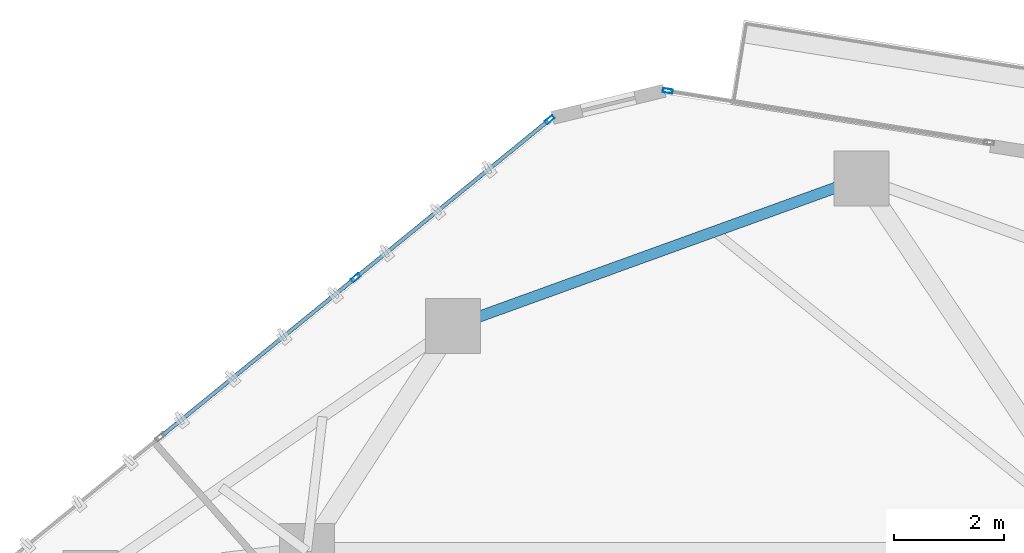
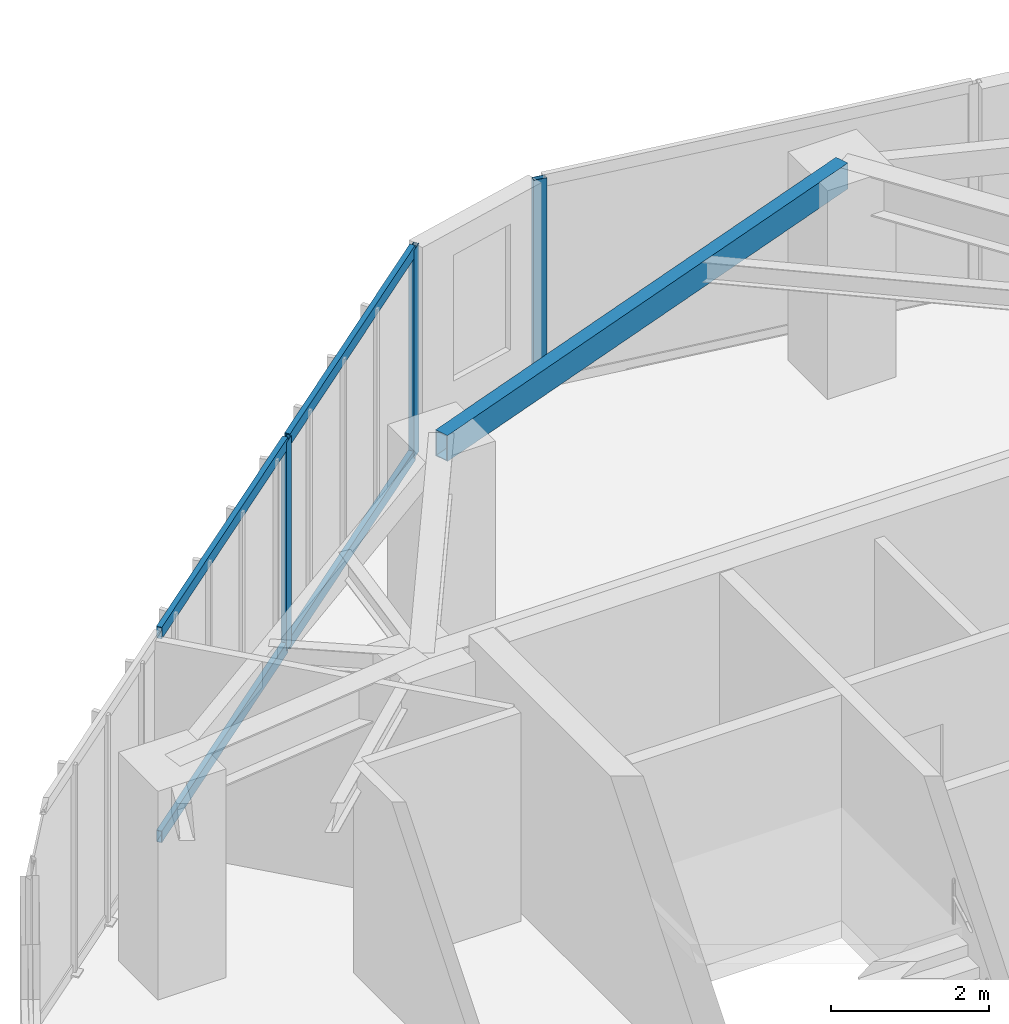
# One storey, part 14 of 22: 7 members, 1 beam, 2 elements without a shape of their own.
"""IFC4 building model written with IfcOpenShell, lengths in metres."""

from ifc_helpers import new_model, si_unit, direction, frame, origin, origin_2d, place, context, subcontext, project, spatial, hollow_rectangle, extrude, source, transform, mapped, material, layer, layer_set, material_profile, profile_set, type_object, type_shapes, element, aggregate, save


model = new_model("IFC4")

# Units and contexts
model_context = context("Model", 3, precision=1e-05, world=origin(), true_north=direction((0.0, 1.0)))
body_context = subcontext(model_context, "Body", "Model", "MODEL_VIEW")
ifc_project = project(units=[si_unit("LENGTHUNIT", "METRE"), si_unit("AREAUNIT", "SQUARE_METRE"), si_unit("VOLUMEUNIT", "CUBIC_METRE"), si_unit("PLANEANGLEUNIT", "RADIAN"), si_unit("MASSUNIT", "GRAM", prefix="KILO")], contexts=[model_context])

# Site, building, storey
site_placement = place(None, origin())
site = spatial("IfcSite", under=ifc_project, at=site_placement, CompositionType="ELEMENT")
building_placement = place(site_placement, origin())
building = spatial("IfcBuilding", under=site, at=building_placement, Name="Talar Marvaseh", CompositionType="ELEMENT")
storey_placement = place(building_placement, frame((0.0, 0.0, 208.199951171875)))
storey = spatial("IfcBuildingStorey", under=building, at=storey_placement, Name="L54", CompositionType="ELEMENT", Elevation=208.199951171875)

# Beam
ifc_material_1 = material(Name="Steel S355", Category="steel")
ifc_material_profile_1 = material_profile(ifc_material_1, hollow_rectangle(XDim=0.199951171875, YDim=0.39990234375, WallThickness=0.013916015625, at=origin_2d()), Name="RHS400x200x14")
ifc_profile_set_1 = profile_set([ifc_material_profile_1], Name="Steel S355")
beam_type = type_object("IfcBeamType", Name="Zone 3 Perimeter Spandrel Beam RHS400x200x14", PredefinedType="SPANDREL", material=ifc_profile_set_1)
beam_placement = place(storey_placement, frame((21.35205078125, 40.986083984375, 3.030029296875), z_axis=(0.940368006783, 0.340158803824, 0.0), x_axis=(-0.340158803824, 0.940368006783, 0.0)))
element("IfcBeam", 1, at=beam_placement, inside=storey, type_object=beam_type, Name="L54 Zone 3 Perimeter Spandrel Beam RHS400x200x14", PredefinedType="SPANDREL", context=body_context, shape_type="SweptSolid", body=[
    extrude(hollow_rectangle(XDim=0.199951171875, YDim=0.39990234375, WallThickness=0.013916015625, at=origin_2d()), origin(), (0.0, 0.0, 1.0), 7.88427734375),
])

# Curtain wall, members
ifc_material_2 = material(Name="Architectural Aluminium", Category="aluminium")
ifc_layer = layer(ifc_material_2, 0.18994140625)
ifc_layer_set = layer_set([ifc_layer], Name="Architectural Aluminium")
curtain_wall_type = type_object("IfcCurtainWallType", Name="Unitised Solar Atelier Curtain Wall Z3", PredefinedType="NOTDEFINED", material=ifc_layer_set)
curtain_wall_1_placement = place(storey_placement, origin())
curtain_wall_1 = element("IfcCurtainWall", 2, at=curtain_wall_1_placement, inside=storey, type_object=curtain_wall_type, Name="L54 Unitised Solar Atelier Curtain Wall Z3", PredefinedType="NOTDEFINED")
ifc_material_profile_2 = material_profile(ifc_material_2, hollow_rectangle(XDim=0.074951171875, YDim=0.179931640625, WallThickness=0.0048828125, at=origin_2d()), Name="RHS180x75x5")
ifc_profile_set_2 = profile_set([ifc_material_profile_2], Name="Architectural Aluminium")
member_type_1 = type_object("IfcMemberType", Name="Unitised Curtain Wall Standard Mullion RHS180x75x5", PredefinedType="MULLION", material=ifc_profile_set_2)
shared_shape_1 = source(origin(), body_context, "Body", "SweptSolid", [
    extrude(hollow_rectangle(XDim=0.074951171875, YDim=0.179931640625, WallThickness=0.0048828125, at=origin_2d()), origin(), (0.0, 0.0, 1.0), 3.22998046875),
])
type_shapes(member_type_1, [shared_shape_1])
member_1_placement = place(storey_placement, frame((19.586669921875, 41.86328125, 0.0), z_axis=(0.0, 0.0, 1.0), x_axis=(-0.63178365744, 0.775144767248, 0.0)))
member_1 = element("IfcMember", 3, at=member_1_placement, type_object=member_type_1, Name="CW-Z3 mullion 3", PredefinedType="MULLION", context=body_context, shape_type="MappedRepresentation", body=[
    mapped(shared_shape_1, transform((0.0, 0.0, 0.0), x_axis=(1.0, 0.0, 0.0), y_axis=(0.0, 1.0, 0.0), z_axis=(0.0, 0.0, 1.0), scale=1.0)),
])
member_2_placement = place(storey_placement, frame((23.105712890625, 44.7314453125, 0.0), z_axis=(0.0, 0.0, 1.0), x_axis=(-0.63178365744, 0.775144767248, 0.0)))
member_2 = element("IfcMember", 4, at=member_2_placement, type_object=member_type_1, Name="CW-Z3 mullion 4", PredefinedType="MULLION", context=body_context, shape_type="MappedRepresentation", body=[
    mapped(shared_shape_1, transform((0.0, 0.0, 0.0), x_axis=(1.0, 0.0, 0.0), y_axis=(0.0, 1.0, 0.0), z_axis=(0.0, 0.0, 1.0), scale=1.0)),
])

# Curtain wall, member
curtain_wall_2_placement = place(storey_placement, origin())
curtain_wall_2 = element("IfcCurtainWall", 5, at=curtain_wall_2_placement, inside=storey, type_object=curtain_wall_type, Name="L54 Unitised Solar Atelier Curtain Wall Z3", PredefinedType="NOTDEFINED")
member_3_placement = place(storey_placement, frame((25.248779296875, 45.25390625, 0.0), z_axis=(0.0, 0.0, 1.0), x_axis=(0.15808503423, 0.987425501976, 0.0)))
member_3 = element("IfcMember", 6, at=member_3_placement, type_object=member_type_1, Name="CW-Z3 mullion 1", PredefinedType="MULLION", context=body_context, shape_type="MappedRepresentation", body=[
    mapped(shared_shape_1, transform((0.0, 0.0, 0.0), x_axis=(1.0, 0.0, 0.0), y_axis=(0.0, 1.0, 0.0), z_axis=(0.0, 0.0, 1.0), scale=1.0)),
])
aggregate(curtain_wall_2, [member_3])

# Member
ifc_material_profile_3 = material_profile(ifc_material_2, hollow_rectangle(XDim=0.074951171875, YDim=0.179931640625, WallThickness=0.0048828125, at=origin_2d()), Name="RHS180x75x5")
ifc_profile_set_3 = profile_set([ifc_material_profile_3], Name="Architectural Aluminium")
member_type_2 = type_object("IfcMemberType", Name="Unitised Curtain Wall Transom RHS180x75x5", PredefinedType="USERDEFINED", material=ifc_profile_set_3)
shared_shape_2 = source(origin(), body_context, "Body", "SweptSolid", [
    extrude(hollow_rectangle(XDim=0.074951171875, YDim=0.179931640625, WallThickness=0.0048828125, at=origin_2d()), origin(), (0.0, 0.0, 1.0), 4.46484375),
])
member_4_placement = place(storey_placement, frame((19.61572265625, 41.886962890625, 0.03759765625), z_axis=(0.775149689612, 0.631777618071, 0.0), x_axis=(-0.631777618071, 0.775149689612, 0.0)))
member_4 = element("IfcMember", 7, at=member_4_placement, type_object=member_type_2, Name="CW-Z3 transom 3.1", ObjectType="TRANSOM", PredefinedType="USERDEFINED", context=body_context, shape_type="MappedRepresentation", body=[
    mapped(shared_shape_2, transform((0.0, 0.0, 0.0), x_axis=(1.0, 0.0, 0.0), y_axis=(0.0, 1.0, 0.0), z_axis=(0.0, 0.0, 1.0), scale=1.0)),
])

member_5_placement = place(storey_placement, frame((19.61572265625, 41.886962890625, 3.192626953125), z_axis=(0.775149689612, 0.631777618071, 0.0), x_axis=(-0.631777618071, 0.775149689612, 0.0)))
member_5 = element("IfcMember", 8, at=member_5_placement, type_object=member_type_2, Name="CW-Z3 transom 3.2", ObjectType="TRANSOM", PredefinedType="USERDEFINED", context=body_context, shape_type="MappedRepresentation", body=[
    mapped(shared_shape_2, transform((0.0, 0.0, 0.0), x_axis=(1.0, 0.0, 0.0), y_axis=(0.0, 1.0, 0.0), z_axis=(0.0, 0.0, 1.0), scale=1.0)),
])

shared_shape_3 = source(origin(), body_context, "Body", "SweptSolid", [
    extrude(hollow_rectangle(XDim=0.074951171875, YDim=0.179931640625, WallThickness=0.0048828125, at=origin_2d()), origin(), (0.0, 0.0, 1.0), 4.50244140625),
])
type_shapes(member_type_2, [shared_shape_2, shared_shape_3])
member_6_placement = place(storey_placement, frame((16.067626953125, 38.9951171875, 0.03759765625), z_axis=(0.775149416116, 0.631777953632, 0.0), x_axis=(-0.631777953632, 0.775149416116, 0.0)))
member_6 = element("IfcMember", 9, at=member_6_placement, type_object=member_type_2, Name="CW-Z3 transom 2.1", ObjectType="TRANSOM", PredefinedType="USERDEFINED", context=body_context, shape_type="MappedRepresentation", body=[
    mapped(shared_shape_3, transform((0.0, 0.0, 0.0), x_axis=(1.0, 0.0, 0.0), y_axis=(0.0, 1.0, 0.0), z_axis=(0.0, 0.0, 1.0), scale=1.0)),
])

member_7_placement = place(storey_placement, frame((16.067626953125, 38.9951171875, 3.192626953125), z_axis=(0.775149416116, 0.631777953632, 0.0), x_axis=(-0.631777953632, 0.775149416116, 0.0)))
member_7 = element("IfcMember", 10, at=member_7_placement, type_object=member_type_2, Name="CW-Z3 transom 2.2", ObjectType="TRANSOM", PredefinedType="USERDEFINED", context=body_context, shape_type="MappedRepresentation", body=[
    mapped(shared_shape_3, transform((0.0, 0.0, 0.0), x_axis=(1.0, 0.0, 0.0), y_axis=(0.0, 1.0, 0.0), z_axis=(0.0, 0.0, 1.0), scale=1.0)),
])

aggregate(curtain_wall_1, [member_1, member_2, member_6, member_7, member_4, member_5])

save(model, "model.ifc")
